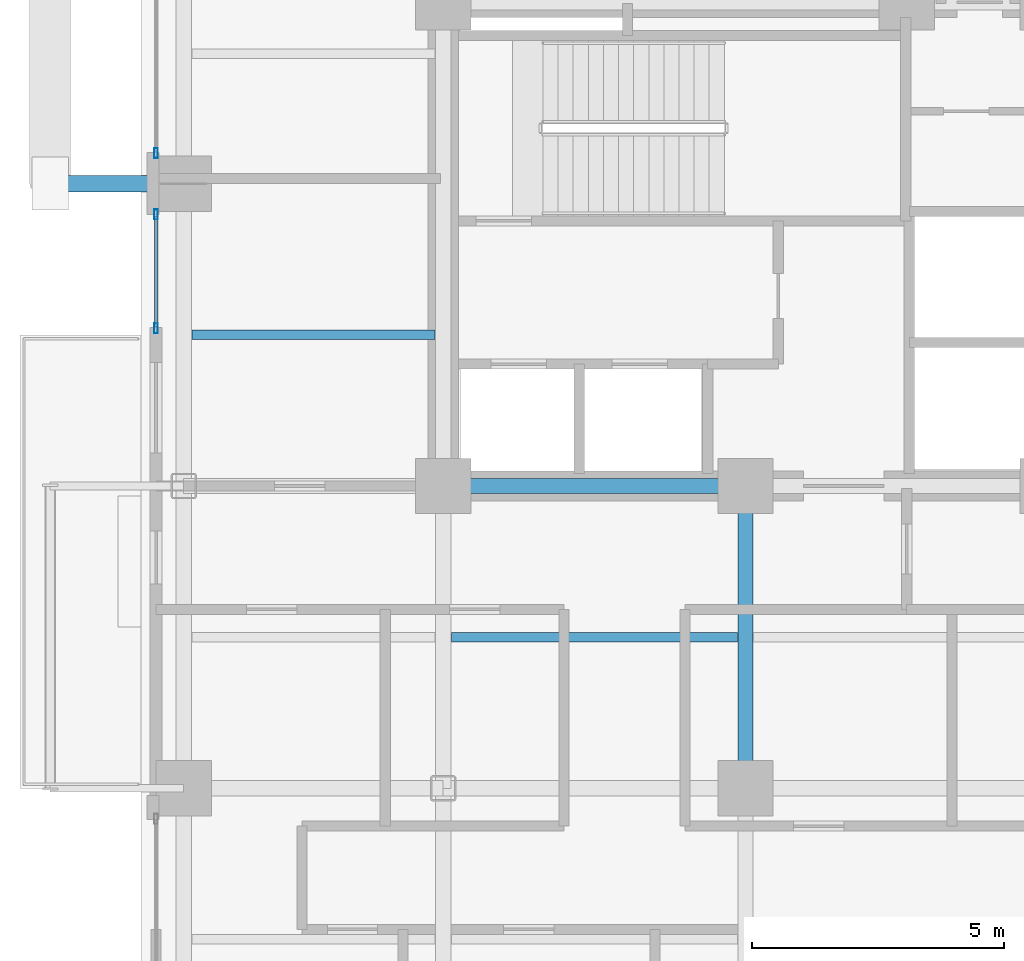
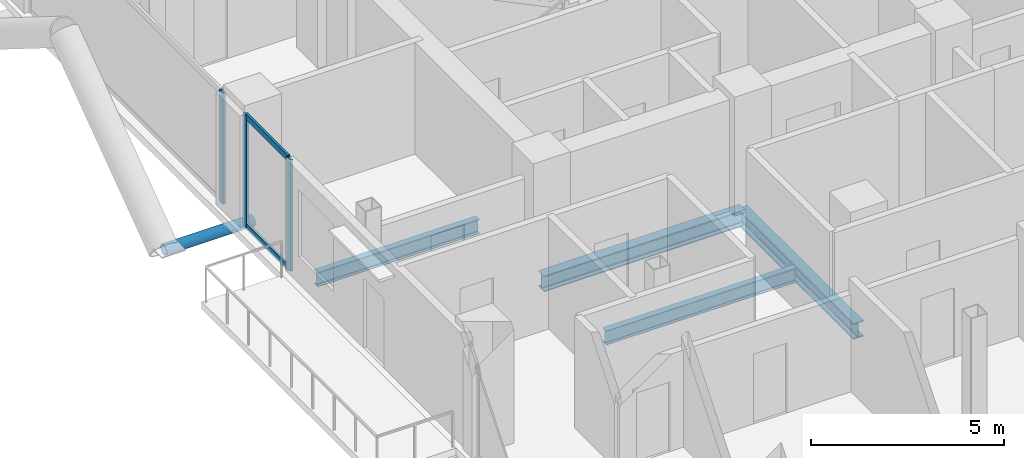
# One storey, part 6 of 24: 6 members, 4 beams, 2 elements without a shape of their own.
"""IFC4 building model written with IfcOpenShell, lengths in metres."""

from ifc_helpers import new_model, si_unit, direction, frame, origin, origin_2d, place, context, subcontext, project, spatial, hollow_rectangle, hollow_circle, i_section, extrude, material, layer, layer_set, material_profile, profile_set, type_object, element, aggregate, save


model = new_model("IFC4")

# Units and contexts
model_context = context("Model", 3, precision=1e-05, world=origin(), true_north=direction((0.0, 1.0)))
body_context = subcontext(model_context, "Body", "Model", "MODEL_VIEW")
ifc_project = project(units=[si_unit("LENGTHUNIT", "METRE"), si_unit("AREAUNIT", "SQUARE_METRE"), si_unit("VOLUMEUNIT", "CUBIC_METRE"), si_unit("PLANEANGLEUNIT", "RADIAN"), si_unit("MASSUNIT", "GRAM", prefix="KILO"), si_unit("THERMODYNAMICTEMPERATUREUNIT", "KELVIN"), si_unit("POWERUNIT", "WATT")], contexts=[model_context])

# Site, building, storey
site_placement = place(None, origin())
site = spatial("IfcSite", under=ifc_project, at=site_placement, CompositionType="ELEMENT")
building_placement = place(site_placement, origin())
building = spatial("IfcBuilding", under=site, at=building_placement, Name="Svarakhadi Broadcast Tower", CompositionType="ELEMENT")
storey_placement = place(building_placement, frame((0.0, 0.0, 115.64990234375)))
storey = spatial("IfcBuildingStorey", under=building, at=storey_placement, Name="L27", CompositionType="ELEMENT", Elevation=115.64990234375)

# Beams
ifc_material_1 = material(Name="Steel S355J2 (IS 2062 E350C)", Category="steel")
ifc_material_profile_1 = material_profile(ifc_material_1, i_section(OverallWidth=0.18994140625, OverallDepth=0.449951171875, WebThickness=0.009521484375, FlangeThickness=0.0146484375, FilletRadius=0.02099609375, at=origin_2d()), Name="NPB 450x190x78")
ifc_profile_set_1 = profile_set([ifc_material_profile_1], Name="Steel S355J2 (IS 2062 E350C)")
beam_type_1 = type_object("IfcBeamType", Name="Beam_NPB450", PredefinedType="BEAM", material=ifc_profile_set_1)
beam_1_placement = place(storey_placement, frame((1.010009765625, 21.0, -0.449951171875), z_axis=(1.0, 0.0, 0.0), x_axis=(0.0, 1.0, 0.0)))
element("IfcBeam", 1, at=beam_1_placement, inside=storey, type_object=beam_type_1, Name="L27 Secondary Composite Beam SB003", PredefinedType="BEAM", context=body_context, shape_type="SweptSolid", body=[
    extrude(i_section(OverallWidth=0.18994140625, OverallDepth=0.449951171875, WebThickness=0.009521484375, FlangeThickness=0.0146484375, FilletRadius=0.02099609375, at=origin_2d()), origin(), (0.0, 0.0, 1.0), 4.830078125),
])
beam_2_placement = place(storey_placement, frame((6.159912109375, 15.0, -0.449951171875), z_axis=(1.0, 0.0, 0.0), x_axis=(0.0, 1.0, 0.0)))
element("IfcBeam", 2, at=beam_2_placement, inside=storey, type_object=beam_type_1, Name="L27 Secondary Composite Beam SB008", PredefinedType="BEAM", context=body_context, shape_type="SweptSolid", body=[
    extrude(i_section(OverallWidth=0.18994140625, OverallDepth=0.449951171875, WebThickness=0.009521484375, FlangeThickness=0.0146484375, FilletRadius=0.02099609375, at=origin_2d()), origin(), (0.0, 0.0, 1.0), 5.68017578125),
])

# Curtain wall, members
ifc_material_2 = material(Name="Anodised Bronze Aluminium AA 6063-T6", Category="aluminium")
ifc_layer = layer(ifc_material_2, 0.199951171875)
ifc_layer_set = layer_set([ifc_layer], Name="Anodised Bronze Aluminium AA 6063-T6")
curtain_wall_type = type_object("IfcCurtainWallType", Name="CW_Sys_03", PredefinedType="NOTDEFINED", material=ifc_layer_set)
curtain_wall_1_placement = place(storey_placement, origin())
curtain_wall_1 = element("IfcCurtainWall", 3, at=curtain_wall_1_placement, inside=storey, type_object=curtain_wall_type, Name="L27 West Curtain Wall 03 Bay 1", PredefinedType="NOTDEFINED")
ifc_material_profile_2 = material_profile(ifc_material_2, hollow_rectangle(XDim=0.074951171875, YDim=0.199951171875, WallThickness=0.005615234375, at=origin_2d()), Name="ALU MULLION 200x75x6")
ifc_profile_set_2 = profile_set([ifc_material_profile_2], Name="Anodised Bronze Aluminium AA 6063-T6")
member_type_1 = type_object("IfcMemberType", Name="CW_Sys_03_Mul", PredefinedType="MULLION", material=ifc_profile_set_2)
member_1_placement = place(storey_placement, frame((0.300048828125, 21.12744140625, 0.0), z_axis=(0.0, 0.0, 1.0), x_axis=(-1.0, 0.0, 0.0)))
member_1 = element("IfcMember", 4, at=member_1_placement, type_object=member_type_1, Name="CW-03 mullion 1", PredefinedType="MULLION", context=body_context, shape_type="SweptSolid", body=[
    extrude(hollow_rectangle(XDim=0.074951171875, YDim=0.199951171875, WallThickness=0.005615234375, at=origin_2d()), origin(), (0.0, 0.0, 1.0), 3.525146484375),
])
member_2_placement = place(storey_placement, frame((0.300048828125, 23.392578125, 0.0), z_axis=(0.0, 0.0, 1.0), x_axis=(-1.0, 0.0, 0.0)))
member_2 = element("IfcMember", 5, at=member_2_placement, type_object=member_type_1, Name="CW-03 mullion 2", PredefinedType="MULLION", context=body_context, shape_type="SweptSolid", body=[
    extrude(hollow_rectangle(XDim=0.074951171875, YDim=0.199951171875, WallThickness=0.005615234375, at=origin_2d()), origin(), (0.0, 0.0, 1.0), 3.525146484375),
])

# Curtain wall, member
curtain_wall_2_placement = place(storey_placement, origin())
curtain_wall_2 = element("IfcCurtainWall", 6, at=curtain_wall_2_placement, inside=storey, type_object=curtain_wall_type, Name="L27 West Curtain Wall 03 Bay 2", PredefinedType="NOTDEFINED")
member_3_placement = place(storey_placement, frame((0.300048828125, 24.607421875, 0.0), z_axis=(0.0, 0.0, 1.0), x_axis=(-1.0, 0.0, 0.0)))
member_3 = element("IfcMember", 7, at=member_3_placement, type_object=member_type_1, Name="CW-03 mullion 1", PredefinedType="MULLION", context=body_context, shape_type="SweptSolid", body=[
    extrude(hollow_rectangle(XDim=0.074951171875, YDim=0.199951171875, WallThickness=0.005615234375, at=origin_2d()), origin(), (0.0, 0.0, 1.0), 3.525146484375),
])
aggregate(curtain_wall_2, [member_3])

# Member
ifc_material_profile_3 = material_profile(ifc_material_2, hollow_rectangle(XDim=0.070068359375, YDim=0.18505859375, WallThickness=0.0048828125, at=origin_2d()), Name="ALU TRANSOM 185x70x5")
ifc_profile_set_3 = profile_set([ifc_material_profile_3], Name="Anodised Bronze Aluminium AA 6063-T6")
member_type_2 = type_object("IfcMemberType", Name="CW_Sys_03_Trn", PredefinedType="USERDEFINED", material=ifc_profile_set_3)
member_4_placement = place(storey_placement, frame((0.300048828125, 21.1650390625, 0.03515625), z_axis=(0.0, 1.0, 0.0), x_axis=(-1.0, 0.0, 0.0)))
member_4 = element("IfcMember", 8, at=member_4_placement, type_object=member_type_2, Name="CW-03 transom 1.1", ObjectType="TRANSOM", PredefinedType="USERDEFINED", context=body_context, shape_type="SweptSolid", body=[
    extrude(hollow_rectangle(XDim=0.070068359375, YDim=0.18505859375, WallThickness=0.0048828125, at=origin_2d()), origin(), (0.0, 0.0, 1.0), 2.18994140625),
])

member_5_placement = place(storey_placement, frame((0.300048828125, 21.1650390625, 3.489990234375), z_axis=(0.0, 1.0, 0.0), x_axis=(-1.0, 0.0, 0.0)))
member_5 = element("IfcMember", 9, at=member_5_placement, type_object=member_type_2, Name="CW-03 transom 1.2", ObjectType="TRANSOM", PredefinedType="USERDEFINED", context=body_context, shape_type="SweptSolid", body=[
    extrude(hollow_rectangle(XDim=0.070068359375, YDim=0.18505859375, WallThickness=0.0048828125, at=origin_2d()), origin(), (0.0, 0.0, 1.0), 2.18994140625),
])

aggregate(curtain_wall_1, [member_1, member_2, member_4, member_5])

ifc_material_3 = material(Name="Steel S460ML (IS 2062 E450BR)", Category="steel")
ifc_material_profile_4 = material_profile(ifc_material_3, hollow_circle(Radius=0.161865234375, WallThickness=0.01611328125, at=origin_2d()), Name="CHS 323.9x16")
ifc_profile_set_4 = profile_set([ifc_material_profile_4], Name="Steel S460ML (IS 2062 E450BR)")
member_type_3 = type_object("IfcMemberType", Name="Exo_Radial_Strut_Z2", PredefinedType="STRUT", material=ifc_profile_set_4)
member_6_placement = place(storey_placement, frame((-1.800048828125, 24.0, -0.386962890625), z_axis=(1.0, 0.0, 0.0), x_axis=(0.0, 1.0, 0.0)))
element("IfcMember", 10, at=member_6_placement, inside=storey, type_object=member_type_3, Name="L27 Exoskeleton Radial Tie Strut W03", PredefinedType="STRUT", context=body_context, shape_type="SweptSolid", body=[
    extrude(hollow_circle(Radius=0.161865234375, WallThickness=0.01611328125, at=origin_2d()), origin(), (0.0, 0.0, 1.0), 2.650146484375),
])

# Beams
ifc_material_profile_5 = material_profile(ifc_material_1, i_section(OverallWidth=0.300048828125, OverallDepth=0.5, WebThickness=0.014404296875, FlangeThickness=0.028076171875, FilletRadius=0.027099609375, at=origin_2d()), Name="WPB 500x300x187")
ifc_profile_set_5 = profile_set([ifc_material_profile_5], Name="Steel S355J2 (IS 2062 E350C)")
beam_type_2 = type_object("IfcBeamType", Name="Girder_WPB500", PredefinedType="USERDEFINED", material=ifc_profile_set_5)
for number, where, z_axis, x_axis, name in (
    (11, (6.0, 18.0, -0.474853515625), (1.0, 0.0, 0.0), (0.0, 1.0, 0.0), "L27 Primary E-W Girder G024"),
    (12, (12.0, 12.0, -0.474853515625), (0.0, 1.0, 0.0), (-1.0, 0.0, 0.0), "L27 Primary N-S Girder G053"),
):
    element("IfcBeam", number, at=place(storey_placement, frame(where, z_axis=z_axis, x_axis=x_axis)), inside=storey, type_object=beam_type_2, Name=name, ObjectType="GIRDER", PredefinedType="USERDEFINED", context=body_context, shape_type="SweptSolid", body=[
        extrude(i_section(OverallWidth=0.300048828125, OverallDepth=0.5, WebThickness=0.014404296875, FlangeThickness=0.028076171875, FilletRadius=0.027099609375, at=origin_2d()), origin(), (0.0, 0.0, 1.0), 6.0),
    ])

save(model, "model.ifc")
